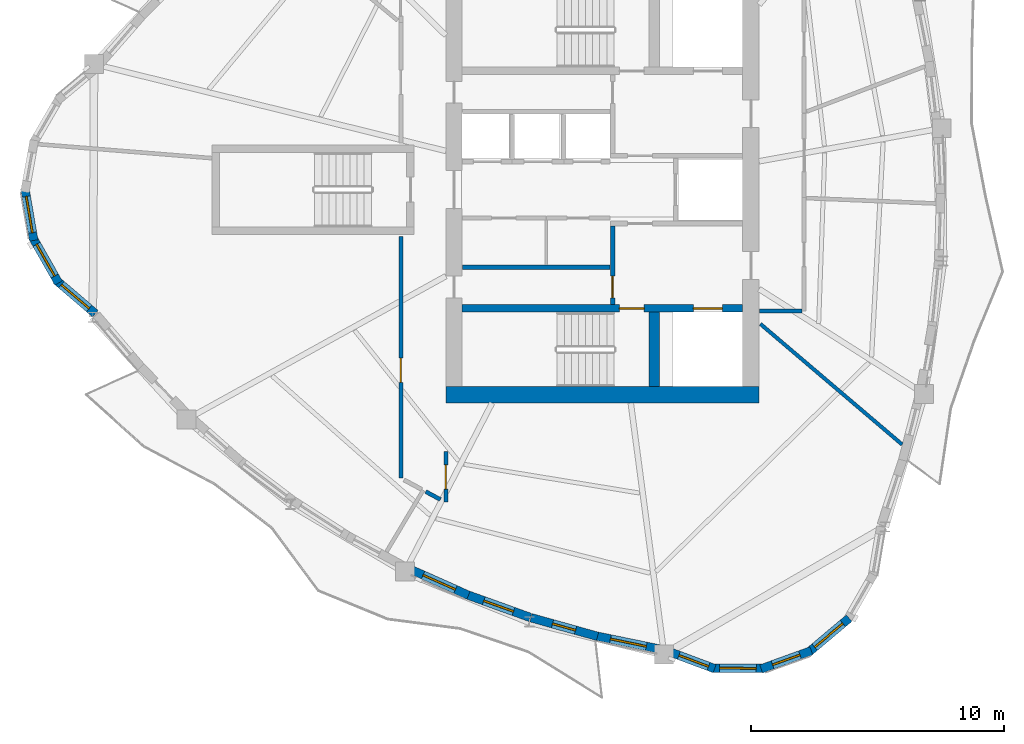
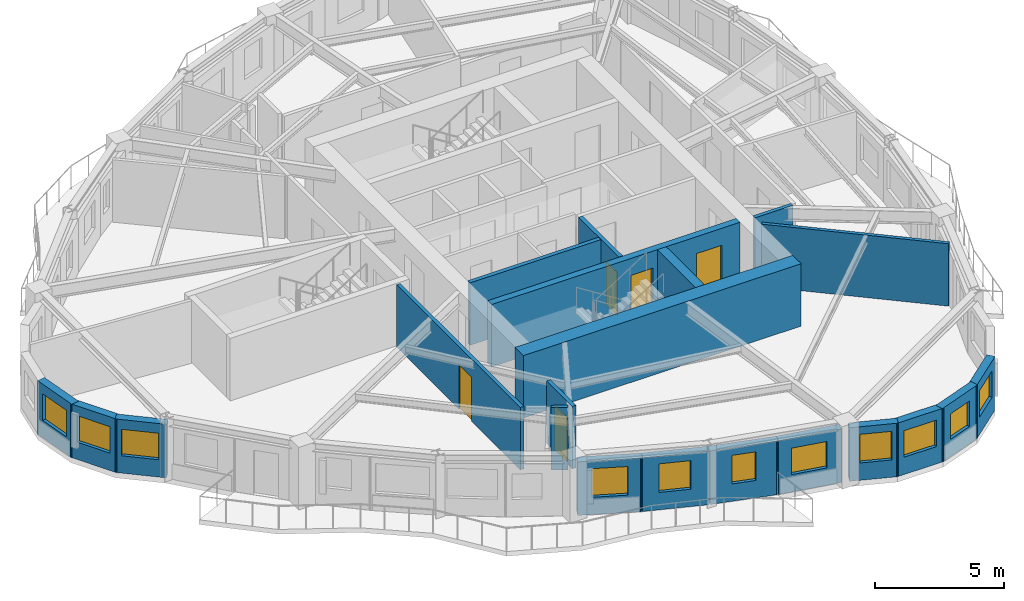
# One storey, part 3 of 11: 21 walls, 11 windows, 5 doors, 16 openings.
"""IFC4 building model written with IfcOpenShell, lengths in metres."""

import ifcopenshell
import ifcopenshell.guid

model = None  # the IFC model being written
_history = None  # IfcOwnerHistory: only IFC2X3 demands one
_inside = {}  # id of a spatial element -> (the spatial element, [elements in it])
_under = {}  # id of a project, library or spatial element -> (it, [spatial elements below it])
_declared = {}  # id of a project -> (the project, [libraries it declares])
_typed = {}  # id of a type object -> (the type object, [elements of that type])
_made_of = {}  # id of a material, layer set ... -> (it, [elements and type objects made of it])


def new_model(schema):
    """Start an empty IFC model of exactly this schema.

    Asked for "IFC4X3", IfcOpenShell would pick the latest addendum, in which some entities
    have other attributes; the version numbers below select the first issue.
    IFC2X3 requires an IfcOwnerHistory on every rooted entity: one is made here for all.
    """
    global model, _history
    if schema == "IFC4X3":
        model = ifcopenshell.file(schema_version=(4, 3, 0, 0))
    else:
        model = ifcopenshell.file(schema=schema)
    _inside.clear()
    _under.clear()
    _declared.clear()
    _typed.clear()
    _made_of.clear()
    _history = None
    if model.schema == "IFC2X3":
        org = make("IfcOrganization", Name="unknown")
        user = make(
            "IfcPersonAndOrganization",
            ThePerson=make("IfcPerson", FamilyName="unknown"),
            TheOrganization=org,
        )
        app = make(
            "IfcApplication",
            ApplicationDeveloper=org,
            Version="unknown",
            ApplicationFullName="unknown",
            ApplicationIdentifier="unknown",
        )
        _history = make(
            "IfcOwnerHistory",
            OwningUser=user,
            OwningApplication=app,
            ChangeAction="ADDED",
            CreationDate=0,
        )
    return model


def make(cls, **values):
    """One entity of the class cls with the attributes given. An attribute that is None is left unset."""
    return model.create_entity(
        cls, **{name: value for name, value in values.items() if value is not None}
    )


def rooted(cls, **values):
    """An entity with a GlobalId (a new one), such as an element, a storey or a relation."""
    return make(cls, GlobalId=ifcopenshell.guid.new(), OwnerHistory=_history, **values)


def si_unit(unit_type, name, prefix=None):
    """IfcSIUnit, for example si_unit("LENGTHUNIT", "METRE", prefix="MILLI")."""
    return make("IfcSIUnit", UnitType=unit_type, Prefix=prefix, Name=name)


def assignment(units):
    """IfcUnitAssignment: the units of a project."""
    return None if units is None else make("IfcUnitAssignment", Units=units)


def point(xyz):
    """IfcCartesianPoint."""
    return None if xyz is None else make("IfcCartesianPoint", Coordinates=xyz)


def direction(xyz):
    """IfcDirection."""
    return None if xyz is None else make("IfcDirection", DirectionRatios=xyz)


def frame(location, z_axis=None, x_axis=None):
    """IfcAxis2Placement3D, a coordinate frame: its origin and axes. An axis left out is left unset."""
    return make(
        "IfcAxis2Placement3D",
        Location=point(location),
        Axis=direction(z_axis),
        RefDirection=direction(x_axis),
    )


def frame_2d(location, x_axis=None):
    """IfcAxis2Placement2D, a coordinate frame in the plane: its origin and x axis."""
    return make(
        "IfcAxis2Placement2D", Location=point(location), RefDirection=direction(x_axis)
    )


def origin():
    """The frame at (0, 0, 0) with its axes left unset."""
    return frame((0.0, 0.0, 0.0))


def place(relative_to, where):
    """IfcLocalPlacement: puts the frame where relative to a parent placement (None: the world)."""
    return make(
        "IfcLocalPlacement", PlacementRelTo=relative_to, RelativePlacement=where
    )


def context(
    kind, dimensions, precision=None, world=None, true_north=None, identifier=None
):
    """IfcGeometricRepresentationContext, for example the 3D "Model" context."""
    return make(
        "IfcGeometricRepresentationContext",
        ContextIdentifier=identifier,
        ContextType=kind,
        CoordinateSpaceDimension=dimensions,
        Precision=precision,
        WorldCoordinateSystem=world,
        TrueNorth=true_north,
    )


def subcontext(parent, identifier, kind, view, scale=None):
    """IfcGeometricRepresentationSubContext, for example "Body" below "Model"."""
    return make(
        "IfcGeometricRepresentationSubContext",
        ContextIdentifier=identifier,
        ContextType=kind,
        ParentContext=parent,
        TargetScale=scale,
        TargetView=view,
    )


def project(units=None, contexts=None):
    """IfcProject with its units and contexts."""
    return rooted(
        "IfcProject",
        Name="project",
        RepresentationContexts=contexts,
        UnitsInContext=assignment(units),
    )


def spatial(cls, under=None, at=None, **own):
    """A site, building, storey or space (cls), placed at a placement, below another one or the project."""
    s = rooted(cls, ObjectPlacement=at, **own)
    if under is not None:
        _under.setdefault(under.id(), (under, []))[1].append(s)
    return s


def profile(cls, at=None, kind="AREA", **sizes):
    """A parametric profile (cls). Its sizes go by their IFC names, for example OverallWidth=200.0."""
    return make(cls, ProfileType=kind, Position=at, **sizes)


def rectangle(**sizes):
    """IfcRectangleProfileDef."""
    return profile("IfcRectangleProfileDef", **sizes)


def extrude(swept, where, along, depth):
    """IfcExtrudedAreaSolid: the profile swept, set in the frame where, extruded along a direction by depth."""
    return make(
        "IfcExtrudedAreaSolid",
        SweptArea=swept,
        Position=where,
        ExtrudedDirection=direction(along),
        Depth=depth,
    )


def shape(context_of_items, identifier, shape_type, items):
    """IfcShapeRepresentation: the items that make up one representation, for example the "Body"."""
    return make(
        "IfcShapeRepresentation",
        ContextOfItems=context_of_items,
        RepresentationIdentifier=identifier,
        RepresentationType=shape_type,
        Items=items,
    )


def source(mapping_origin, context_of_items, identifier, shape_type, items):
    """IfcRepresentationMap: a shape defined once, which mapped items show again and again."""
    return make(
        "IfcRepresentationMap",
        MappingOrigin=mapping_origin,
        MappedRepresentation=shape(context_of_items, identifier, shape_type, items),
    )


def transform(
    local_origin,
    x_axis=None,
    y_axis=None,
    z_axis=None,
    scale=None,
    scale2=None,
    scale3=None,
    uniform=True,
):
    """IfcCartesianTransformationOperator3D, or its non-uniform kind. x_axis, y_axis, z_axis: its Axis1, 2, 3."""
    if uniform:
        return make(
            "IfcCartesianTransformationOperator3D",
            Axis1=direction(x_axis),
            Axis2=direction(y_axis),
            LocalOrigin=point(local_origin),
            Scale=scale,
            Axis3=direction(z_axis),
        )
    return make(
        "IfcCartesianTransformationOperator3DnonUniform",
        Axis1=direction(x_axis),
        Axis2=direction(y_axis),
        LocalOrigin=point(local_origin),
        Scale=scale,
        Axis3=direction(z_axis),
        Scale2=scale2,
        Scale3=scale3,
    )


def mapped(mapping_source, mapping_target):
    """IfcMappedItem: shows the shape of a source again, moved by a transform."""
    return make(
        "IfcMappedItem", MappingSource=mapping_source, MappingTarget=mapping_target
    )


def material(Name=None, Category=None):
    """IfcMaterial."""
    return make("IfcMaterial", Name=Name, Category=Category)


def layer(
    of_material, thickness, ventilated=None, Name=None, Category=None, Priority=None
):
    """IfcMaterialLayer: one layer of a wall or slab, of a material (None: an air gap)."""
    return make(
        "IfcMaterialLayer",
        Material=of_material,
        LayerThickness=thickness,
        IsVentilated=ventilated,
        Name=Name,
        Category=Category,
        Priority=Priority,
    )


def layer_set(layers, Name=None):
    """IfcMaterialLayerSet."""
    return make("IfcMaterialLayerSet", MaterialLayers=layers, LayerSetName=Name)


def made_of(thing, what):
    """Note that an element or type object is made of a material, layer set ...; save() writes the relation."""
    if what is not None:
        _made_of.setdefault(what.id(), (what, []))[1].append(thing)
    return thing


def type_object(cls, material=None, **own):
    """A type object (cls), such as IfcWallType, which elements share."""
    return made_of(rooted(cls, **own), material)


def element(
    cls,
    number,
    at=None,
    inside=None,
    cuts=None,
    type_object=None,
    material=None,
    context=None,
    identifier="Body",
    shape_type=None,
    held_by="IfcProductDefinitionShape",
    body=None,
    shapes=None,
    **own,
):
    """One element of the class cls, such as IfcWall. Its Tag is "e" and its number.

    at: its placement. inside: the storey or other place that contains it. cuts: it is an
    opening in that element (IfcRelVoidsElement). A single representation is given by context,
    identifier, shape_type and body (its items); several are given by shapes. held_by: the class
    of the entity that holds the representations. save() writes the other relations.
    """
    e = rooted(cls, Tag="e%d" % number, ObjectPlacement=at, **own)
    if body is not None:
        shapes = [shape(context, identifier, shape_type, body)]
    if shapes is not None:
        e.Representation = make(held_by, Representations=shapes)
    if inside is not None:
        _inside.setdefault(inside.id(), (inside, []))[1].append(e)
    if cuts is not None:
        rooted(
            "IfcRelVoidsElement", RelatingBuildingElement=cuts, RelatedOpeningElement=e
        )
    if type_object is not None:
        _typed.setdefault(type_object.id(), (type_object, []))[1].append(e)
    return made_of(e, material)


def fill(opening, filler):
    """IfcRelFillsElement: the door or window that sits in an opening."""
    return rooted(
        "IfcRelFillsElement",
        RelatingOpeningElement=opening,
        RelatedBuildingElement=filler,
    )


def aggregate(whole, parts):
    """IfcRelAggregates: a whole, such as a stair, and the parts it consists of."""
    return rooted("IfcRelAggregates", RelatingObject=whole, RelatedObjects=parts)


def save(model, path):
    """Write the relations noted so far, then the file.

    IfcRelAggregates (storeys below a building ...), IfcRelContainedInSpatialStructure (elements
    in a storey), IfcRelDefinesByType, IfcRelAssociatesMaterial and IfcRelDeclares: one each for
    every whole, place, type object, material and project.
    """
    for whole, parts in _under.values():
        aggregate(whole, parts)
    for where, things in _inside.values():
        rooted(
            "IfcRelContainedInSpatialStructure",
            RelatedElements=things,
            RelatingStructure=where,
        )
    for kind, things in _typed.values():
        rooted("IfcRelDefinesByType", RelatedObjects=things, RelatingType=kind)
    for what, things in _made_of.values():
        rooted("IfcRelAssociatesMaterial", RelatedObjects=things, RelatingMaterial=what)
    for by, libraries in _declared.values():
        rooted("IfcRelDeclares", RelatingContext=by, RelatedDefinitions=libraries)
    model.write(path)


model = new_model("IFC4")

# Units and contexts
model_context = context("Model", 3, precision=1e-05, world=origin(), true_north=direction((0.0, 1.0)))
body_context = subcontext(model_context, "Body", "Model", "MODEL_VIEW")
ifc_project = project(units=[si_unit("LENGTHUNIT", "METRE"), si_unit("AREAUNIT", "SQUARE_METRE"), si_unit("VOLUMEUNIT", "CUBIC_METRE"), si_unit("PLANEANGLEUNIT", "RADIAN"), si_unit("MASSUNIT", "GRAM", prefix="KILO")], contexts=[model_context])

# Site, building, storey
site_placement = place(None, origin())
site = spatial("IfcSite", under=ifc_project, at=site_placement, CompositionType="ELEMENT")
building_placement = place(site_placement, origin())
building = spatial("IfcBuilding", under=site, at=building_placement, Name="Qafzar Sky-Pleat Residences", CompositionType="ELEMENT")
storey_placement = place(building_placement, frame((0.0, 0.0, 168.199951171875)))
storey = spatial("IfcBuildingStorey", under=building, at=storey_placement, Name="L50", CompositionType="ELEMENT", Elevation=168.199951171875)

# Wall, opening, door
ifc_material_1 = material(Name="Acoustic gypsum plasterboard partition", Category="gypsum")
ifc_layer_1 = layer(ifc_material_1, 0.159912109375)
ifc_layer_set_1 = layer_set([ifc_layer_1], Name="Acoustic gypsum plasterboard partition")
wall_type_1 = type_object("IfcWallType", Name="PART-COR-160", PredefinedType="PARTITIONING", material=ifc_layer_set_1)
wall_1_placement = place(storey_placement, frame((22.3701171875, 14.5791015625, 0.0), z_axis=(0.0, 0.0, 1.0), x_axis=(0.0, 1.0, 0.0)))
wall_1 = element("IfcWall", 1, at=wall_1_placement, inside=storey, type_object=wall_type_1, Name="L50 Partition Wall PART-L50-PW-001", PredefinedType="PARTITIONING", context=body_context, shape_type="SweptSolid", body=[
    extrude(rectangle(XDim=9.57080078125, YDim=0.159912109375, at=frame_2d((4.785400390625, 0.0))), origin(), (0.0, 0.0, 1.0), 2.949951171875),
])
opening_1_placement = place(wall_1_placement, frame((3.79345703125, 0.0, 0.0)))
opening_1 = element("IfcOpeningElement", 2, at=opening_1_placement, cuts=wall_1, Name="Opening ID-06", PredefinedType="OPENING", context=body_context, shape_type="SweptSolid", body=[
    extrude(rectangle(XDim=0.9599609375, YDim=2.10009765625, at=frame_2d((0.47998046875, 1.050048828125))), frame((0.0, 0.08984375, 0.0), z_axis=(0.0, -1.0, 0.0), x_axis=(1.0, 0.0, 0.0)), (0.0, 0.0, 1.0), 0.179931640625),
])
ifc_material_2 = material(Name="Timber-faced fire door", Category="wood")
door_type_1 = type_object("IfcDoorType", Name="DR-STD-960", OperationType="NOTDEFINED", PredefinedType="DOOR", material=ifc_material_2)
shared_shape_1 = source(origin(), body_context, "Body", "SweptSolid", [
    extrude(rectangle(XDim=0.9599609375, YDim=2.10009765625, at=frame_2d((0.47998046875, 1.050048828125))), frame((0.0, 0.02490234375, 0.0), z_axis=(0.0, -1.0, 0.0), x_axis=(1.0, 0.0, 0.0)), (0.0, 0.0, 1.0), 0.050048828125),
])
door_1_placement = place(opening_1_placement, origin())
door_1 = element("IfcDoor", 3, at=door_1_placement, inside=storey, type_object=door_type_1, Name="L50 Faculty Research Office Door", OperationType="SINGLE_SWING_LEFT", OverallHeight=2.10009765625, OverallWidth=0.9599609375, PredefinedType="DOOR", context=body_context, shape_type="MappedRepresentation", body=[
    mapped(shared_shape_1, transform((0.0, 0.0, 0.0), x_axis=(1.0, 0.0, 0.0), y_axis=(0.0, 1.0, 0.0), z_axis=(0.0, 0.0, 1.0), scale=1.0)),
])
fill(opening_1, door_1)

wall_2_placement = place(storey_placement, frame((24.14990234375, 15.633056640625, 0.0), z_axis=(0.0, 0.0, 1.0), x_axis=(0.0, -1.0, 0.0)))
wall_2 = element("IfcWall", 4, at=wall_2_placement, inside=storey, type_object=wall_type_1, Name="L50 Partition Wall PART-L50-PW-008", PredefinedType="PARTITIONING", context=body_context, shape_type="SweptSolid", body=[
    extrude(rectangle(XDim=1.9951171875, YDim=0.159912109375, at=frame_2d((0.99755859375, 0.0))), origin(), (0.0, 0.0, 1.0), 2.949951171875),
])
opening_2_placement = place(wall_2_placement, frame((0.531982421875, 0.0, 0.0)))
opening_2 = element("IfcOpeningElement", 5, at=opening_2_placement, cuts=wall_2, Name="Opening ID-06", PredefinedType="OPENING", context=body_context, shape_type="SweptSolid", body=[
    extrude(rectangle(XDim=0.9599609375, YDim=2.10009765625, at=frame_2d((0.47998046875, 1.050048828125))), frame((0.0, 0.08984375, 0.0), z_axis=(0.0, -1.0, 0.0), x_axis=(1.0, 0.0, 0.0)), (0.0, 0.0, 1.0), 0.179931640625),
])
door_2_placement = place(opening_2_placement, origin())
door_2 = element("IfcDoor", 6, at=door_2_placement, inside=storey, type_object=door_type_1, Name="L50 Scholar Co-Working Workspace Door", OperationType="SINGLE_SWING_LEFT", OverallHeight=2.10009765625, OverallWidth=0.9599609375, PredefinedType="DOOR", context=body_context, shape_type="MappedRepresentation", body=[
    mapped(shared_shape_1, transform((0.0, 0.0, 0.0), x_axis=(1.0, 0.0, 0.0), y_axis=(0.0, 1.0, 0.0), z_axis=(0.0, 0.0, 1.0), scale=1.0)),
])
fill(opening_2, door_2)

# Walls
wall_3_placement = place(storey_placement, frame((36.55810546875, 21.199951171875, 0.0), z_axis=(0.0, 0.0, 1.0), x_axis=(1.0, 0.0, 0.0)))
element("IfcWall", 7, at=wall_3_placement, inside=storey, type_object=wall_type_1, Name="L50 Partition Wall PART-L50-PW-021", PredefinedType="PARTITIONING", context=body_context, shape_type="SweptSolid", body=[
    extrude(rectangle(XDim=1.683837890625, YDim=0.159912109375, at=frame_2d((0.841796875, 0.0))), origin(), (0.0, 0.0, 1.0), 2.949951171875),
])
wall_4_placement = place(storey_placement, frame((23.35400390625, 14.0478515625, 0.0), z_axis=(0.0, 0.0, 1.0), x_axis=(0.879446930613, -0.475996949818, 0.0)))
element("IfcWall", 8, at=wall_4_placement, inside=storey, type_object=wall_type_1, Name="L50 Partition Wall PART-L50-PW-028", PredefinedType="PARTITIONING", context=body_context, shape_type="SweptSolid", body=[
    extrude(rectangle(XDim=0.65966796875, YDim=0.159912109375, at=frame_2d((0.329833984375, 0.0))), origin(), (0.0, 0.0, 1.0), 2.949951171875),
])

# Wall, opening, door
ifc_material_3 = material(Name="Concrete blockwork partition", Category="masonry")
ifc_layer_2 = layer(ifc_material_3, 0.179931640625)
ifc_layer_set_2 = layer_set([ifc_layer_2], Name="Concrete blockwork partition")
wall_type_2 = type_object("IfcWallType", Name="PART-SHAFT-180", PredefinedType="PARTITIONING", material=ifc_layer_set_2)
wall_5_placement = place(storey_placement, frame((30.75, 21.4599609375, 0.0), z_axis=(0.0, 0.0, 1.0), x_axis=(0.0, 1.0, 0.0)))
wall_5 = element("IfcWall", 9, at=wall_5_placement, inside=storey, type_object=wall_type_2, Name="L50 Partition Wall PART-L50-FFL1-W", PredefinedType="PARTITIONING", context=body_context, shape_type="SweptSolid", body=[
    extrude(rectangle(XDim=3.110107421875, YDim=0.179931640625, at=frame_2d((1.55517578125, 0.0))), origin(), (0.0, 0.0, 1.0), 2.949951171875),
])
opening_3_placement = place(wall_5_placement, frame((0.260009765625, 0.0, 0.0)))
opening_3 = element("IfcOpeningElement", 10, at=opening_3_placement, cuts=wall_5, Name="Opening ID-09", PredefinedType="OPENING", context=body_context, shape_type="SweptSolid", body=[
    extrude(rectangle(XDim=0.860107421875, YDim=2.050048828125, at=frame_2d((0.43017578125, 1.02490234375))), frame((0.0, 0.10009765625, 0.0), z_axis=(0.0, -1.0, 0.0), x_axis=(1.0, 0.0, 0.0)), (0.0, 0.0, 1.0), 0.199951171875),
])
door_type_2 = type_object("IfcDoorType", Name="DR-SVC-860", OperationType="NOTDEFINED", PredefinedType="DOOR", material=ifc_material_2)
shared_shape_2 = source(origin(), body_context, "Body", "SweptSolid", [
    extrude(rectangle(XDim=0.860107421875, YDim=2.050048828125, at=frame_2d((0.43017578125, 1.02490234375))), frame((0.0, 0.02490234375, 0.0), z_axis=(0.0, -1.0, 0.0), x_axis=(1.0, 0.0, 0.0)), (0.0, 0.0, 1.0), 0.050048828125),
])
door_3_placement = place(opening_3_placement, origin())
door_3 = element("IfcDoor", 11, at=door_3_placement, inside=storey, type_object=door_type_2, Name="L50 South Core Cupboard Door", OperationType="SINGLE_SWING_LEFT", OverallHeight=2.050048828125, OverallWidth=0.860107421875, PredefinedType="DOOR", context=body_context, shape_type="MappedRepresentation", body=[
    mapped(shared_shape_2, transform((0.0, 0.0, 0.0), x_axis=(1.0, 0.0, 0.0), y_axis=(0.0, 1.0, 0.0), z_axis=(0.0, 0.0, 1.0), scale=1.0)),
])
fill(opening_3, door_3)

# Walls
wall_6_placement = place(storey_placement, frame((24.81005859375, 22.919921875, 0.0), z_axis=(0.0, 0.0, 1.0), x_axis=(1.0, 0.0, 0.0)))
element("IfcWall", 12, at=wall_6_placement, inside=storey, type_object=wall_type_2, Name="L50 Partition Wall PART-L50-P13-S", PredefinedType="PARTITIONING", context=body_context, shape_type="SweptSolid", body=[
    extrude(rectangle(XDim=5.83984375, YDim=0.179931640625, at=frame_2d((2.919921875, 0.0))), origin(), (0.0, 0.0, 1.0), 2.949951171875),
])
ifc_layer_3 = layer(ifc_material_1, 0.14501953125)
ifc_layer_set_3 = layer_set([ifc_layer_3], Name="Acoustic gypsum plasterboard partition")
wall_type_3 = type_object("IfcWallType", Name="PART-UNIT-145", PredefinedType="PARTITIONING", material=ifc_layer_set_3)
wall_7_placement = place(storey_placement, frame((36.60302734375, 20.681884765625, 0.0), z_axis=(0.0, 0.0, 1.0), x_axis=(0.761710074833, -0.647918020971, 0.0)))
element("IfcWall", 13, at=wall_7_placement, inside=storey, type_object=wall_type_3, Name="L50 Partition Wall PART-L50-PW-012", PredefinedType="PARTITIONING", context=body_context, shape_type="SweptSolid", body=[
    extrude(rectangle(XDim=7.359130859375, YDim=0.14501953125, at=frame_2d((3.6796875, 0.0))), origin(), (0.0, 0.0, 1.0), 2.949951171875),
])

# Wall, opening, window
ifc_material_4 = material(Name="Precast concrete C40/50 with honed Riyadh limestone", Category="concrete")
ifc_layer_4 = layer(ifc_material_4, 0.340087890625)
ifc_layer_set_4 = layer_set([ifc_layer_4], Name="Precast concrete C40/50 with honed Riyadh limestone")
wall_type_4 = type_object("IfcWallType", Name="WALL-EXT-340", PredefinedType="SOLIDWALL", material=ifc_layer_set_4)
wall_8_placement = place(storey_placement, frame((7.48974609375, 26.038330078125, 0.0), z_axis=(0.0, 0.0, 1.0), x_axis=(0.168107405166, -0.985768685001, 0.0)))
wall_8 = element("IfcWall", 14, at=wall_8_placement, inside=storey, type_object=wall_type_4, Name="L50 Limestone Facade Wall 4", PredefinedType="SOLIDWALL", context=body_context, shape_type="SweptSolid", body=[
    extrude(rectangle(XDim=2.0810546875, YDim=0.340087890625, at=frame_2d((1.04052734375, 0.0))), origin(), (0.0, 0.0, 1.0), 2.530029296875),
])
opening_4_placement = place(wall_8_placement, frame((0.315673828125, 0.0, 0.820068359375)))
opening_4 = element("IfcOpeningElement", 15, at=opening_4_placement, cuts=wall_8, Name="Opening WN-15", PredefinedType="OPENING", context=body_context, shape_type="SweptSolid", body=[
    extrude(rectangle(XDim=1.449951171875, YDim=1.25, at=frame_2d((0.72509765625, 0.625))), frame((0.0, 0.18017578125, 0.0), z_axis=(0.0, -1.0, 0.0), x_axis=(1.0, 0.0, 0.0)), (0.0, 0.0, 1.0), 0.360107421875),
])
ifc_material_5 = material(Name="Solar-control low-E glass in bronze aluminium frame", Category="glass")
window_type_1 = type_object("IfcWindowType", Name="WIN-15", PartitioningType="SINGLE_PANEL", PredefinedType="WINDOW", material=ifc_material_5)
shared_shape_3 = source(origin(), body_context, "Body", "SweptSolid", [
    extrude(rectangle(XDim=1.449951171875, YDim=1.25, at=frame_2d((0.72509765625, 0.625))), frame((0.0, 0.030029296875, 0.0), z_axis=(0.0, -1.0, 0.0), x_axis=(1.0, 0.0, 0.0)), (0.0, 0.0, 1.0), 0.06005859375),
])
window_1_placement = place(opening_4_placement, origin())
window_1 = element("IfcWindow", 16, at=window_1_placement, inside=storey, type_object=window_type_1, Name="L50 Punched Facade Window 04", OverallHeight=1.25, OverallWidth=1.449951171875, PartitioningType="SINGLE_PANEL", PredefinedType="WINDOW", context=body_context, shape_type="MappedRepresentation", body=[
    mapped(shared_shape_3, transform((0.0, 0.0, 0.0), x_axis=(1.0, 0.0, 0.0), y_axis=(0.0, 1.0, 0.0), z_axis=(0.0, 0.0, 1.0), scale=1.0)),
])
fill(opening_4, window_1)

wall_9_placement = place(storey_placement, frame((7.794677734375, 24.11279296875, 0.0), z_axis=(0.0, 0.0, 1.0), x_axis=(0.493660675866, -0.869654607936, 0.0)))
wall_9 = element("IfcWall", 17, at=wall_9_placement, inside=storey, type_object=wall_type_4, Name="L50 Limestone Facade Wall 5", PredefinedType="SOLIDWALL", context=body_context, shape_type="SweptSolid", body=[
    extrude(rectangle(XDim=2.0810546875, YDim=0.340087890625, at=frame_2d((1.04052734375, 0.0))), origin(), (0.0, 0.0, 1.0), 2.530029296875),
])
opening_5_placement = place(wall_9_placement, frame((0.3154296875, 0.0, 0.820068359375)))
opening_5 = element("IfcOpeningElement", 18, at=opening_5_placement, cuts=wall_9, Name="Opening WN-15", PredefinedType="OPENING", context=body_context, shape_type="SweptSolid", body=[
    extrude(rectangle(XDim=1.449951171875, YDim=1.25, at=frame_2d((0.72509765625, 0.625))), frame((0.0, 0.18017578125, 0.0), z_axis=(0.0, -1.0, 0.0), x_axis=(1.0, 0.0, 0.0)), (0.0, 0.0, 1.0), 0.360107421875),
])
window_2_placement = place(opening_5_placement, origin())
window_2 = element("IfcWindow", 19, at=window_2_placement, inside=storey, type_object=window_type_1, Name="L50 Punched Facade Window 05", OverallHeight=1.25, OverallWidth=1.449951171875, PartitioningType="SINGLE_PANEL", PredefinedType="WINDOW", context=body_context, shape_type="MappedRepresentation", body=[
    mapped(shared_shape_3, transform((0.0, 0.0, 0.0), x_axis=(1.0, 0.0, 0.0), y_axis=(0.0, 1.0, 0.0), z_axis=(0.0, 0.0, 1.0), scale=1.0)),
])
fill(opening_5, window_2)

wall_10_placement = place(storey_placement, frame((8.737060546875, 22.406005859375, 0.0), z_axis=(0.0, 0.0, 1.0), x_axis=(0.760269373804, -0.649607942728, 0.0)))
wall_10 = element("IfcWall", 20, at=wall_10_placement, inside=storey, type_object=wall_type_4, Name="L50 Limestone Facade Wall 6", PredefinedType="SOLIDWALL", context=body_context, shape_type="SweptSolid", body=[
    extrude(rectangle(XDim=2.023193359375, YDim=0.340087890625, at=frame_2d((1.01171875, 0.0))), origin(), (0.0, 0.0, 1.0), 2.530029296875),
])
opening_6_placement = place(wall_10_placement, frame((0.256591796875, 0.0, 0.820068359375)))
opening_6 = element("IfcOpeningElement", 21, at=opening_6_placement, cuts=wall_10, Name="Opening WN-15", PredefinedType="OPENING", context=body_context, shape_type="SweptSolid", body=[
    extrude(rectangle(XDim=1.449951171875, YDim=1.25, at=frame_2d((0.72509765625, 0.625))), frame((0.0, 0.18017578125, 0.0), z_axis=(0.0, -1.0, 0.0), x_axis=(1.0, 0.0, 0.0)), (0.0, 0.0, 1.0), 0.360107421875),
])
window_3_placement = place(opening_6_placement, origin())
window_3 = element("IfcWindow", 22, at=window_3_placement, inside=storey, type_object=window_type_1, Name="L50 Punched Facade Window 06", OverallHeight=1.25, OverallWidth=1.449951171875, PartitioningType="SINGLE_PANEL", PredefinedType="WINDOW", context=body_context, shape_type="MappedRepresentation", body=[
    mapped(shared_shape_3, transform((0.0, 0.0, 0.0), x_axis=(1.0, 0.0, 0.0), y_axis=(0.0, 1.0, 0.0), z_axis=(0.0, 0.0, 1.0), scale=1.0)),
])
fill(opening_6, window_3)

wall_11_placement = place(storey_placement, frame((22.739501953125, 10.97119140625, 0.0), z_axis=(0.0, 0.0, 1.0), x_axis=(0.913208557636, -0.407492491048, 0.0)))
wall_11 = element("IfcWall", 23, at=wall_11_placement, inside=storey, type_object=wall_type_4, Name="L50 Limestone Facade Wall 13", PredefinedType="SOLIDWALL", context=body_context, shape_type="SweptSolid", body=[
    extrude(rectangle(XDim=2.525390625, YDim=0.340087890625, at=frame_2d((1.2626953125, 0.0))), origin(), (0.0, 0.0, 1.0), 2.530029296875),
])
opening_7_placement = place(wall_11_placement, frame((0.5576171875, 0.0, 0.820068359375)))
opening_7 = element("IfcOpeningElement", 24, at=opening_7_placement, cuts=wall_11, Name="Opening WN-10", PredefinedType="OPENING", context=body_context, shape_type="SweptSolid", body=[
    extrude(rectangle(XDim=1.39990234375, YDim=1.35009765625, at=frame_2d((0.699951171875, 0.675048828125))), frame((0.0, 0.18017578125, 0.0), z_axis=(0.0, -1.0, 0.0), x_axis=(1.0, 0.0, 0.0)), (0.0, 0.0, 1.0), 0.360107421875),
])
window_type_2 = type_object("IfcWindowType", Name="WIN-10", PartitioningType="SINGLE_PANEL", PredefinedType="WINDOW", material=ifc_material_5)
shared_shape_4 = source(origin(), body_context, "Body", "SweptSolid", [
    extrude(rectangle(XDim=1.39990234375, YDim=1.35009765625, at=frame_2d((0.699951171875, 0.675048828125))), frame((0.0, 0.030029296875, 0.0), z_axis=(0.0, -1.0, 0.0), x_axis=(1.0, 0.0, 0.0)), (0.0, 0.0, 1.0), 0.06005859375),
])
window_4_placement = place(opening_7_placement, origin())
window_4 = element("IfcWindow", 25, at=window_4_placement, inside=storey, type_object=window_type_2, Name="L50 Punched Facade Window 13", OverallHeight=1.35009765625, OverallWidth=1.39990234375, PartitioningType="SINGLE_PANEL", PredefinedType="WINDOW", context=body_context, shape_type="MappedRepresentation", body=[
    mapped(shared_shape_4, transform((0.0, 0.0, 0.0), x_axis=(1.0, 0.0, 0.0), y_axis=(0.0, 1.0, 0.0), z_axis=(0.0, 0.0, 1.0), scale=1.0)),
])
fill(opening_7, window_4)

wall_12_placement = place(storey_placement, frame((24.96337890625, 9.97509765625, 0.0), z_axis=(0.0, 0.0, 1.0), x_axis=(0.940893194947, -0.338703403736, 0.0)))
wall_12 = element("IfcWall", 26, at=wall_12_placement, inside=storey, type_object=wall_type_4, Name="L50 Limestone Facade Wall 14", PredefinedType="SOLIDWALL", context=body_context, shape_type="SweptSolid", body=[
    extrude(rectangle(XDim=2.690673828125, YDim=0.340087890625, at=frame_2d((1.34521484375, 0.0))), origin(), (0.0, 0.0, 1.0), 2.530029296875),
])
opening_8_placement = place(wall_12_placement, frame((0.730224609375, 0.0, 0.820068359375)))
opening_8 = element("IfcOpeningElement", 27, at=opening_8_placement, cuts=wall_12, Name="Opening WN-11", PredefinedType="OPENING", context=body_context, shape_type="SweptSolid", body=[
    extrude(rectangle(XDim=1.25, YDim=1.35009765625, at=frame_2d((0.625, 0.675048828125))), frame((0.0, 0.18017578125, 0.0), z_axis=(0.0, -1.0, 0.0), x_axis=(1.0, 0.0, 0.0)), (0.0, 0.0, 1.0), 0.360107421875),
])
window_type_3 = type_object("IfcWindowType", Name="WIN-11", PartitioningType="SINGLE_PANEL", PredefinedType="WINDOW", material=ifc_material_5)
shared_shape_5 = source(origin(), body_context, "Body", "SweptSolid", [
    extrude(rectangle(XDim=1.25, YDim=1.35009765625, at=frame_2d((0.625, 0.675048828125))), frame((0.0, 0.030029296875, 0.0), z_axis=(0.0, -1.0, 0.0), x_axis=(1.0, 0.0, 0.0)), (0.0, 0.0, 1.0), 0.06005859375),
])
window_5_placement = place(opening_8_placement, origin())
window_5 = element("IfcWindow", 28, at=window_5_placement, inside=storey, type_object=window_type_3, Name="L50 Punched Facade Window 14", OverallHeight=1.35009765625, OverallWidth=1.25, PartitioningType="SINGLE_PANEL", PredefinedType="WINDOW", context=body_context, shape_type="MappedRepresentation", body=[
    mapped(shared_shape_5, transform((0.0, 0.0, 0.0), x_axis=(1.0, 0.0, 0.0), y_axis=(0.0, 1.0, 0.0), z_axis=(0.0, 0.0, 1.0), scale=1.0)),
])
fill(opening_8, window_5)

wall_13_placement = place(storey_placement, frame((27.521484375, 9.055419921875, 0.0), z_axis=(0.0, 0.0, 1.0), x_axis=(0.962873105013, -0.269954410306, 0.0)))
wall_13 = element("IfcWall", 29, at=wall_13_placement, inside=storey, type_object=wall_type_4, Name="L50 Limestone Facade Wall 15", PredefinedType="SOLIDWALL", context=body_context, shape_type="SweptSolid", body=[
    extrude(rectangle(XDim=2.73486328125, YDim=0.340087890625, at=frame_2d((1.367431640625, 0.0))), origin(), (0.0, 0.0, 1.0), 2.530029296875),
])
opening_9_placement = place(wall_13_placement, frame((0.88232421875, 0.0, 0.820068359375)))
opening_9 = element("IfcOpeningElement", 30, at=opening_9_placement, cuts=wall_13, Name="Opening WN-12", PredefinedType="OPENING", context=body_context, shape_type="SweptSolid", body=[
    extrude(rectangle(XDim=0.949951171875, YDim=1.35009765625, at=frame_2d((0.47509765625, 0.675048828125))), frame((0.0, 0.18017578125, 0.0), z_axis=(0.0, -1.0, 0.0), x_axis=(1.0, 0.0, 0.0)), (0.0, 0.0, 1.0), 0.360107421875),
])
window_type_4 = type_object("IfcWindowType", Name="WIN-12", PartitioningType="SINGLE_PANEL", PredefinedType="WINDOW", material=ifc_material_5)
shared_shape_6 = source(origin(), body_context, "Body", "SweptSolid", [
    extrude(rectangle(XDim=0.949951171875, YDim=1.35009765625, at=frame_2d((0.47509765625, 0.675048828125))), frame((0.0, 0.030029296875, 0.0), z_axis=(0.0, -1.0, 0.0), x_axis=(1.0, 0.0, 0.0)), (0.0, 0.0, 1.0), 0.06005859375),
])
window_6_placement = place(opening_9_placement, origin())
window_6 = element("IfcWindow", 31, at=window_6_placement, inside=storey, type_object=window_type_4, Name="L50 Punched Facade Window 15", OverallHeight=1.35009765625, OverallWidth=0.949951171875, PartitioningType="SINGLE_PANEL", PredefinedType="WINDOW", context=body_context, shape_type="MappedRepresentation", body=[
    mapped(shared_shape_6, transform((0.0, 0.0, 0.0), x_axis=(1.0, 0.0, 0.0), y_axis=(0.0, 1.0, 0.0), z_axis=(0.0, 0.0, 1.0), scale=1.0)),
])
fill(opening_9, window_6)

wall_14_placement = place(storey_placement, frame((30.069580078125, 8.337890625, 0.0), z_axis=(0.0, 0.0, 1.0), x_axis=(0.97931003802, -0.202365633032, 0.0)))
wall_14 = element("IfcWall", 32, at=wall_14_placement, inside=storey, type_object=wall_type_4, Name="L50 Limestone Facade Wall 16", PredefinedType="SOLIDWALL", context=body_context, shape_type="SweptSolid", body=[
    extrude(rectangle(XDim=2.65771484375, YDim=0.340087890625, at=frame_2d((1.328857421875, 0.0))), origin(), (0.0, 0.0, 1.0), 2.530029296875),
])
opening_10_placement = place(wall_14_placement, frame((0.60888671875, 0.0, 0.820068359375)))
opening_10 = element("IfcOpeningElement", 33, at=opening_10_placement, cuts=wall_14, Name="Opening WN-15", PredefinedType="OPENING", context=body_context, shape_type="SweptSolid", body=[
    extrude(rectangle(XDim=1.449951171875, YDim=1.25, at=frame_2d((0.72509765625, 0.625))), frame((0.0, 0.18017578125, 0.0), z_axis=(0.0, -1.0, 0.0), x_axis=(1.0, 0.0, 0.0)), (0.0, 0.0, 1.0), 0.360107421875),
])
window_7_placement = place(opening_10_placement, origin())
window_7 = element("IfcWindow", 34, at=window_7_placement, inside=storey, type_object=window_type_1, Name="L50 Punched Facade Window 16", OverallHeight=1.25, OverallWidth=1.449951171875, PartitioningType="SINGLE_PANEL", PredefinedType="WINDOW", context=body_context, shape_type="MappedRepresentation", body=[
    mapped(shared_shape_3, transform((0.0, 0.0, 0.0), x_axis=(1.0, 0.0, 0.0), y_axis=(0.0, 1.0, 0.0), z_axis=(0.0, 0.0, 1.0), scale=1.0)),
])
fill(opening_10, window_7)

wall_15_placement = place(storey_placement, frame((32.994384765625, 7.70751953125, 0.0), z_axis=(0.0, 0.0, 1.0), x_axis=(0.936872687757, -0.349670654952, 0.0)))
wall_15 = element("IfcWall", 35, at=wall_15_placement, inside=storey, type_object=wall_type_4, Name="L50 Limestone Facade Wall 17", PredefinedType="SOLIDWALL", context=body_context, shape_type="SweptSolid", body=[
    extrude(rectangle(XDim=1.915771484375, YDim=0.340087890625, at=frame_2d((0.9580078125, 0.0))), origin(), (0.0, 0.0, 1.0), 2.530029296875),
])
opening_11_placement = place(wall_15_placement, frame((0.40771484375, 0.0, 0.820068359375)))
opening_11 = element("IfcOpeningElement", 36, at=opening_11_placement, cuts=wall_15, Name="Opening WN-11", PredefinedType="OPENING", context=body_context, shape_type="SweptSolid", body=[
    extrude(rectangle(XDim=1.25, YDim=1.35009765625, at=frame_2d((0.625, 0.675048828125))), frame((0.0, 0.18017578125, 0.0), z_axis=(0.0, -1.0, 0.0), x_axis=(1.0, 0.0, 0.0)), (0.0, 0.0, 1.0), 0.360107421875),
])
window_8_placement = place(opening_11_placement, origin())
window_8 = element("IfcWindow", 37, at=window_8_placement, inside=storey, type_object=window_type_3, Name="L50 Punched Facade Window 17", OverallHeight=1.35009765625, OverallWidth=1.25, PartitioningType="SINGLE_PANEL", PredefinedType="WINDOW", context=body_context, shape_type="MappedRepresentation", body=[
    mapped(shared_shape_5, transform((0.0, 0.0, 0.0), x_axis=(1.0, 0.0, 0.0), y_axis=(0.0, 1.0, 0.0), z_axis=(0.0, 0.0, 1.0), scale=1.0)),
])
fill(opening_11, window_8)

wall_16_placement = place(storey_placement, frame((34.656982421875, 7.06201171875, 0.0), z_axis=(0.0, 0.0, 1.0), x_axis=(0.999987609968, -0.00497794249, 0.0)))
wall_16 = element("IfcWall", 38, at=wall_16_placement, inside=storey, type_object=wall_type_4, Name="L50 Limestone Facade Wall 18", PredefinedType="SOLIDWALL", context=body_context, shape_type="SweptSolid", body=[
    extrude(rectangle(XDim=2.10888671875, YDim=0.340087890625, at=frame_2d((1.054443359375, 0.0))), origin(), (0.0, 0.0, 1.0), 2.530029296875),
])
opening_12_placement = place(wall_16_placement, frame((0.329345703125, 0.0, 0.820068359375)))
opening_12 = element("IfcOpeningElement", 39, at=opening_12_placement, cuts=wall_16, Name="Opening WN-15", PredefinedType="OPENING", context=body_context, shape_type="SweptSolid", body=[
    extrude(rectangle(XDim=1.449951171875, YDim=1.25, at=frame_2d((0.72509765625, 0.625))), frame((0.0, 0.18017578125, 0.0), z_axis=(0.0, -1.0, 0.0), x_axis=(1.0, 0.0, 0.0)), (0.0, 0.0, 1.0), 0.360107421875),
])
window_9_placement = place(opening_12_placement, origin())
window_9 = element("IfcWindow", 40, at=window_9_placement, inside=storey, type_object=window_type_1, Name="L50 Punched Facade Window 18", OverallHeight=1.25, OverallWidth=1.449951171875, PartitioningType="SINGLE_PANEL", PredefinedType="WINDOW", context=body_context, shape_type="MappedRepresentation", body=[
    mapped(shared_shape_3, transform((0.0, 0.0, 0.0), x_axis=(1.0, 0.0, 0.0), y_axis=(0.0, 1.0, 0.0), z_axis=(0.0, 0.0, 1.0), scale=1.0)),
])
fill(opening_12, window_9)

wall_17_placement = place(storey_placement, frame((36.63330078125, 7.02880859375, 0.0), z_axis=(0.0, 0.0, 1.0), x_axis=(0.940255626786, 0.340469317702, 0.0)))
wall_17 = element("IfcWall", 41, at=wall_17_placement, inside=storey, type_object=wall_type_4, Name="L50 Limestone Facade Wall 19", PredefinedType="SOLIDWALL", context=body_context, shape_type="SweptSolid", body=[
    extrude(rectangle(XDim=2.10888671875, YDim=0.340087890625, at=frame_2d((1.054443359375, 0.0))), origin(), (0.0, 0.0, 1.0), 2.530029296875),
])
opening_13_placement = place(wall_17_placement, frame((0.4794921875, 0.0, 0.820068359375)))
opening_13 = element("IfcOpeningElement", 42, at=opening_13_placement, cuts=wall_17, Name="Opening WN-16", PredefinedType="OPENING", context=body_context, shape_type="SweptSolid", body=[
    extrude(rectangle(XDim=1.14990234375, YDim=1.199951171875, at=frame_2d((0.574951171875, 0.60009765625))), frame((0.0, 0.18017578125, 0.0), z_axis=(0.0, -1.0, 0.0), x_axis=(1.0, 0.0, 0.0)), (0.0, 0.0, 1.0), 0.360107421875),
])
window_type_5 = type_object("IfcWindowType", Name="WIN-16", PartitioningType="SINGLE_PANEL", PredefinedType="WINDOW", material=ifc_material_5)
shared_shape_7 = source(origin(), body_context, "Body", "SweptSolid", [
    extrude(rectangle(XDim=1.14990234375, YDim=1.199951171875, at=frame_2d((0.574951171875, 0.60009765625))), frame((0.0, 0.030029296875, 0.0), z_axis=(0.0, -1.0, 0.0), x_axis=(1.0, 0.0, 0.0)), (0.0, 0.0, 1.0), 0.06005859375),
])
window_10_placement = place(opening_13_placement, origin())
window_10 = element("IfcWindow", 43, at=window_10_placement, inside=storey, type_object=window_type_5, Name="L50 Punched Facade Window 19", OverallHeight=1.199951171875, OverallWidth=1.14990234375, PartitioningType="SINGLE_PANEL", PredefinedType="WINDOW", context=body_context, shape_type="MappedRepresentation", body=[
    mapped(shared_shape_7, transform((0.0, 0.0, 0.0), x_axis=(1.0, 0.0, 0.0), y_axis=(0.0, 1.0, 0.0), z_axis=(0.0, 0.0, 1.0), scale=1.0)),
])
fill(opening_13, window_10)

wall_18_placement = place(storey_placement, frame((38.499755859375, 7.6796875, 0.0), z_axis=(0.0, 0.0, 1.0), x_axis=(0.765013277381, 0.644014507158, 0.0)))
wall_18 = element("IfcWall", 44, at=wall_18_placement, inside=storey, type_object=wall_type_4, Name="L50 Limestone Facade Wall 20", PredefinedType="SOLIDWALL", context=body_context, shape_type="SweptSolid", body=[
    extrude(rectangle(XDim=2.1083984375, YDim=0.340087890625, at=frame_2d((1.05419921875, 0.0))), origin(), (0.0, 0.0, 1.0), 2.530029296875),
])
opening_14_placement = place(wall_18_placement, frame((0.329345703125, 0.0, 0.820068359375)))
opening_14 = element("IfcOpeningElement", 45, at=opening_14_placement, cuts=wall_18, Name="Opening WN-15", PredefinedType="OPENING", context=body_context, shape_type="SweptSolid", body=[
    extrude(rectangle(XDim=1.449951171875, YDim=1.25, at=frame_2d((0.72509765625, 0.625))), frame((0.0, 0.18017578125, 0.0), z_axis=(0.0, -1.0, 0.0), x_axis=(1.0, 0.0, 0.0)), (0.0, 0.0, 1.0), 0.360107421875),
])
window_11_placement = place(opening_14_placement, origin())
window_11 = element("IfcWindow", 46, at=window_11_placement, inside=storey, type_object=window_type_1, Name="L50 Punched Facade Window 20", OverallHeight=1.25, OverallWidth=1.449951171875, PartitioningType="SINGLE_PANEL", PredefinedType="WINDOW", context=body_context, shape_type="MappedRepresentation", body=[
    mapped(shared_shape_3, transform((0.0, 0.0, 0.0), x_axis=(1.0, 0.0, 0.0), y_axis=(0.0, 1.0, 0.0), z_axis=(0.0, 0.0, 1.0), scale=1.0)),
])
fill(opening_14, window_11)

# Wall, openings, doors
ifc_material_6 = material(Name="Concrete C60/75", Category="concrete")
ifc_layer_5 = layer(ifc_material_6, 0.300048828125)
ifc_layer_set_5 = layer_set([ifc_layer_5], Name="Concrete C60/75")
wall_type_5 = type_object("IfcWallType", Name="WALL-SHEAR-300", PredefinedType="SHEAR", material=ifc_layer_set_5)
wall_19_placement = place(storey_placement, frame((24.800048828125, 21.300048828125, 0.0), z_axis=(0.0, 0.0, 1.0), x_axis=(1.0, 0.0, 0.0)))
wall_19 = element("IfcWall", 47, at=wall_19_placement, inside=storey, type_object=wall_type_5, Name="L50 Stair ST1 and FF1 Shaft North Wall", PredefinedType="SHEAR", context=body_context, shape_type="SweptSolid", body=[
    extrude(rectangle(XDim=11.099853515625, YDim=0.300048828125, at=frame_2d((5.5498046875, 0.0))), origin(), (0.0, 0.0, 1.0), 2.949951171875),
])
opening_15_placement = place(wall_19_placement, frame((6.219970703125, 0.0, 0.0)))
opening_15 = element("IfcOpeningElement", 48, at=opening_15_placement, cuts=wall_19, Name="Opening ID-01", PredefinedType="OPENING", context=body_context, shape_type="SweptSolid", body=[
    extrude(rectangle(XDim=0.97998046875, YDim=2.14990234375, at=frame_2d((0.489990234375, 1.074951171875))), frame((0.0, 0.16015625, 0.0), z_axis=(0.0, -1.0, 0.0), x_axis=(1.0, 0.0, 0.0)), (0.0, 0.0, 1.0), 0.320068359375),
])
opening_16_placement = place(wall_19_placement, frame((9.14990234375, 0.0, 0.0)))
opening_16 = element("IfcOpeningElement", 49, at=opening_16_placement, cuts=wall_19, Name="Opening LD-02", PredefinedType="OPENING", context=body_context, shape_type="SweptSolid", body=[
    extrude(rectangle(XDim=1.14990234375, YDim=2.14990234375, at=frame_2d((0.574951171875, 1.074951171875))), frame((0.0, 0.16015625, 0.0), z_axis=(0.0, -1.0, 0.0), x_axis=(1.0, 0.0, 0.0)), (0.0, 0.0, 1.0), 0.320068359375),
])
door_type_3 = type_object("IfcDoorType", Name="DR-STAIR-980", OperationType="NOTDEFINED", PredefinedType="DOOR", material=ifc_material_2)
shared_shape_8 = source(origin(), body_context, "Body", "SweptSolid", [
    extrude(rectangle(XDim=0.97998046875, YDim=2.14990234375, at=frame_2d((0.489990234375, 1.074951171875))), frame((0.0, 0.02490234375, 0.0), z_axis=(0.0, -1.0, 0.0), x_axis=(1.0, 0.0, 0.0)), (0.0, 0.0, 1.0), 0.050048828125),
])
door_4_placement = place(opening_15_placement, origin())
door_4 = element("IfcDoor", 50, at=door_4_placement, inside=storey, type_object=door_type_3, Name="L50 Stair ST1 Fire Door", OperationType="SINGLE_SWING_RIGHT", OverallHeight=2.14990234375, OverallWidth=0.97998046875, PredefinedType="DOOR", context=body_context, shape_type="MappedRepresentation", body=[
    mapped(shared_shape_8, transform((0.0, 0.0, 0.0), x_axis=(1.0, 0.0, 0.0), y_axis=(0.0, 1.0, 0.0), z_axis=(0.0, 0.0, 1.0), scale=1.0)),
])
fill(opening_15, door_4)
ifc_material_7 = material(Name="Stainless steel sliding landing door", Category="steel")
door_type_4 = type_object("IfcDoorType", Name="DR-LIFT-FF", OperationType="DOUBLE_DOOR_SLIDING", PredefinedType="DOOR", material=ifc_material_7)
shared_shape_9 = source(origin(), body_context, "Body", "SweptSolid", [
    extrude(rectangle(XDim=1.14990234375, YDim=2.14990234375, at=frame_2d((0.574951171875, 1.074951171875))), frame((0.0, 0.02490234375, 0.0), z_axis=(0.0, -1.0, 0.0), x_axis=(1.0, 0.0, 0.0)), (0.0, 0.0, 1.0), 0.050048828125),
])
door_5_placement = place(opening_16_placement, origin())
door_5 = element("IfcDoor", 51, at=door_5_placement, inside=storey, type_object=door_type_4, Name="L50 Firefighting Lift FF1 Landing Door", OperationType="DOUBLE_DOOR_SLIDING", OverallHeight=2.14990234375, OverallWidth=1.14990234375, PredefinedType="DOOR", context=body_context, shape_type="MappedRepresentation", body=[
    mapped(shared_shape_9, transform((0.0, 0.0, 0.0), x_axis=(1.0, 0.0, 0.0), y_axis=(0.0, 1.0, 0.0), z_axis=(0.0, 0.0, 1.0), scale=1.0)),
])
fill(opening_16, door_5)

# Walls
ifc_layer_6 = layer(ifc_material_6, 0.39990234375)
ifc_layer_set_6 = layer_set([ifc_layer_6], Name="Concrete C60/75")
wall_type_6 = type_object("IfcWallType", Name="WALL-SHEAR-400", PredefinedType="SHEAR", material=ifc_layer_set_6)
wall_20_placement = place(storey_placement, frame((32.39990234375, 18.199951171875, 0.0), z_axis=(0.0, 0.0, 1.0), x_axis=(0.0, 1.0, 0.0)))
element("IfcWall", 52, at=wall_20_placement, inside=storey, type_object=wall_type_6, Name="L50 Stair ST1 East Dividing Wall", PredefinedType="SHEAR", context=body_context, shape_type="SweptSolid", body=[
    extrude(rectangle(XDim=2.949951171875, YDim=0.39990234375, at=frame_2d((1.47509765625, 0.0))), origin(), (0.0, 0.0, 1.0), 2.949951171875),
])
ifc_layer_7 = layer(ifc_material_6, 0.64990234375)
ifc_layer_set_7 = layer_set([ifc_layer_7], Name="Concrete C60/75")
wall_type_7 = type_object("IfcWallType", Name="WALL-SHEAR-650", PredefinedType="SHEAR", material=ifc_layer_set_7)
wall_21_placement = place(storey_placement, frame((24.14990234375, 17.875, 0.0), z_axis=(0.0, 0.0, 1.0), x_axis=(1.0, 0.0, 0.0)))
element("IfcWall", 53, at=wall_21_placement, inside=storey, type_object=wall_type_7, Name="L50 CORE wall S", PredefinedType="SHEAR", context=body_context, shape_type="SweptSolid", body=[
    extrude(rectangle(XDim=12.400146484375, YDim=0.64990234375, at=frame_2d((6.2001953125, 0.0))), origin(), (0.0, 0.0, 1.0), 2.949951171875),
])

save(model, "model.ifc")
